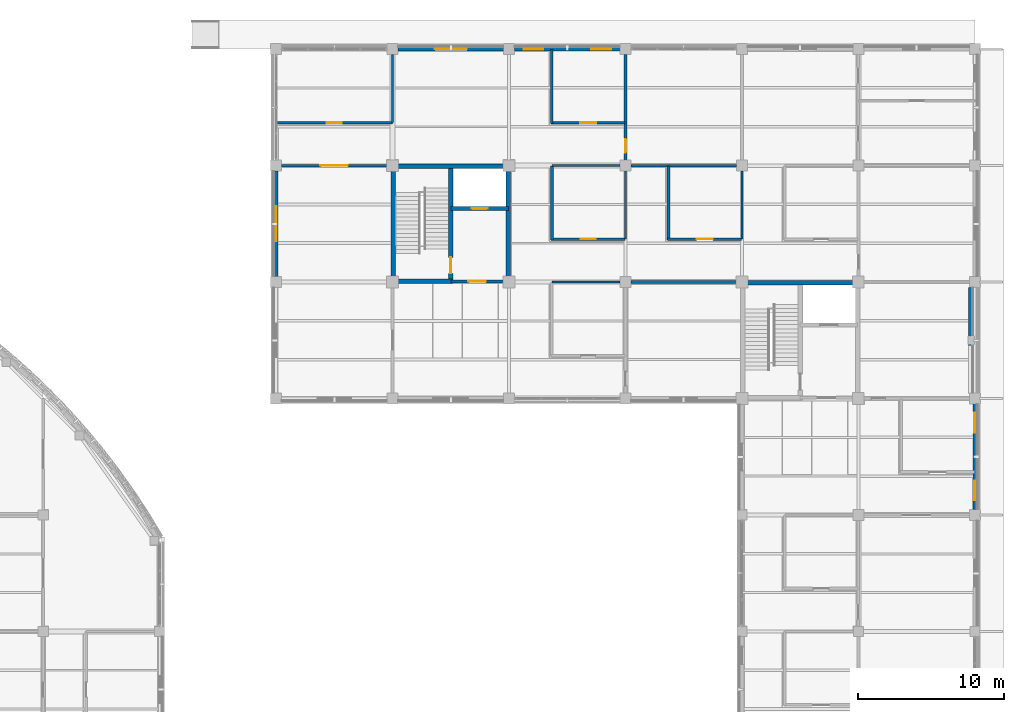
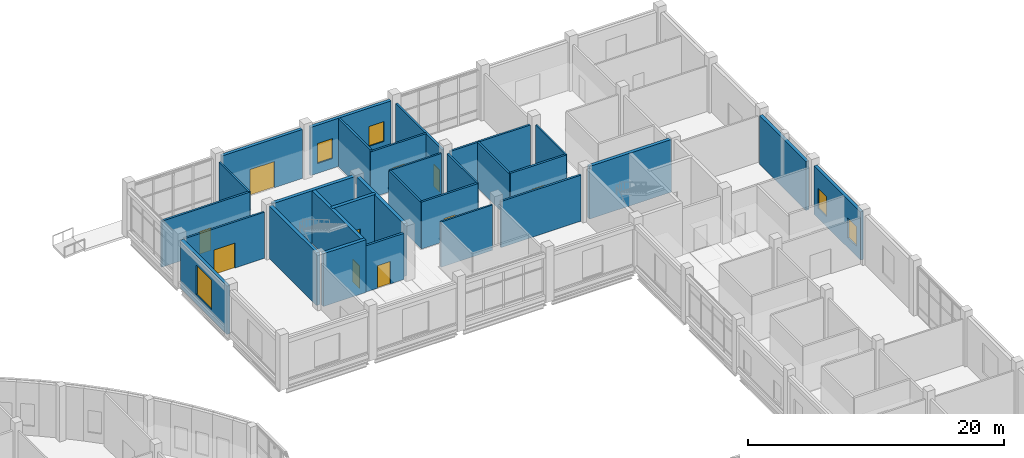
# One storey, part 80 of 105: 29 walls, 10 doors, 5 windows, 15 openings.
"""IFC4 building model written with IfcOpenShell, lengths in metres."""

from ifc_helpers import new_model, si_unit, derived_unit, direction, frame, frame_2d, origin, place, context, subcontext, project, spatial, rectangle, extrude, material, layer, layer_set, type_object, element, fill, save


model = new_model("IFC4")

# Units and contexts
model_context = context("Model", 3, precision=1e-05, world=origin(), true_north=direction((0.0, 1.0)))
body_context = subcontext(model_context, "Body", "Model", "MODEL_VIEW")
ifc_project = project(units=[si_unit("LENGTHUNIT", "METRE"), si_unit("AREAUNIT", "SQUARE_METRE"), si_unit("VOLUMEUNIT", "CUBIC_METRE"), si_unit("PLANEANGLEUNIT", "RADIAN"), si_unit("MASSUNIT", "GRAM", prefix="KILO"), derived_unit("THERMALTRANSMITTANCEUNIT", [(si_unit("MASSUNIT", "GRAM", prefix="KILO"), 1), (si_unit("TIMEUNIT", "SECOND"), -3), (si_unit("THERMODYNAMICTEMPERATUREUNIT", "KELVIN"), -1)])], contexts=[model_context])

# Site, building, storey
site_placement = place(None, origin())
site = spatial("IfcSite", under=ifc_project, at=site_placement, CompositionType="ELEMENT")
building_placement = place(site_placement, origin())
building = spatial("IfcBuilding", under=site, at=building_placement, Name="Veyamyaing Civic Hall", CompositionType="ELEMENT")
storey_placement = place(building_placement, origin())
storey = spatial("IfcBuildingStorey", under=building, at=storey_placement, Name="L00", CompositionType="ELEMENT", Elevation=0.0)

# Wall, opening, window
ifc_material_1 = material(Name="Precast concrete C40/50", Category="concrete")
ifc_layer_1 = layer(ifc_material_1, 0.280029296875, Name="Precast concrete C40/50")
ifc_layer_set_1 = layer_set([ifc_layer_1], Name="Precast concrete C40/50")
wall_type_1 = type_object("IfcWallType", Name="WT-04", PredefinedType="SOLIDWALL", material=ifc_layer_set_1)
wall_1_placement = place(storey_placement, frame((128.0, 96.360107421875, 0.0), z_axis=(0.0, 0.0, 1.0), x_axis=(0.0, 1.0, 0.0)))
wall_1 = element("IfcWall", 1, at=wall_1_placement, inside=storey, type_object=wall_type_1, Name="Exterior facade wall WT-04 L00 W 17.13", PredefinedType="SOLIDWALL", context=body_context, shape_type="SweptSolid", body=[
    extrude(rectangle(XDim=7.27978515625, YDim=0.280029296875, at=frame_2d((3.639892578125, 0.0))), origin(), (0.0, 0.0, 1.0), 4.610107421875),
])
opening_1_placement = place(wall_1_placement, frame((2.43994140625, 0.0, 0.89990234375)))
opening_1 = element("IfcOpeningElement", 2, at=opening_1_placement, cuts=wall_1, Name="Opening W-01", PredefinedType="OPENING", context=body_context, shape_type="SweptSolid", body=[
    extrude(rectangle(XDim=2.39990234375, YDim=2.800048828125, at=frame_2d((1.199951171875, 1.39990234375))), frame((0.0, 0.14990234375, 0.0), z_axis=(0.0, -1.0, 0.0), x_axis=(1.0, 0.0, 0.0)), (0.0, 0.0, 1.0), 0.300048828125),
])
ifc_material_2 = material(Name="Low-E insulated glass", Category="glass")
window_type_1 = type_object("IfcWindowType", Name="W-01", PartitioningType="SINGLE_PANEL", PredefinedType="WINDOW", material=ifc_material_2)
window_1_placement = place(opening_1_placement, origin())
window_1 = element("IfcWindow", 3, at=window_1_placement, inside=storey, type_object=window_type_1, Name="Facade window W-01 L00 W 17.13", OverallHeight=2.800048828125, OverallWidth=2.39990234375, PartitioningType="SINGLE_PANEL", PredefinedType="WINDOW", context=body_context, shape_type="SweptSolid", body=[
    extrude(rectangle(XDim=2.39990234375, YDim=2.800048828125, at=frame_2d((1.199951171875, 1.39990234375))), frame((0.0, 0.030029296875, 0.0), z_axis=(0.0, -1.0, 0.0), x_axis=(1.0, 0.0, 0.0)), (0.0, 0.0, 1.0), 0.06005859375),
])
fill(opening_1, window_1)

# Wall, opening, door
wall_2_placement = place(storey_placement, frame((136.360107421875, 112.0, 0.0), z_axis=(0.0, 0.0, 1.0), x_axis=(1.0, 0.0, 0.0)))
wall_2 = element("IfcWall", 4, at=wall_2_placement, inside=storey, type_object=wall_type_1, Name="Exterior facade wall WT-04 L00 N 18.14", PredefinedType="SOLIDWALL", context=body_context, shape_type="SweptSolid", body=[
    extrude(rectangle(XDim=7.27978515625, YDim=0.280029296875, at=frame_2d((3.639892578125, 0.0))), origin(), (0.0, 0.0, 1.0), 4.677001953125),
])
opening_2_placement = place(wall_2_placement, frame((2.5400390625, 0.0, 0.0)))
opening_2 = element("IfcOpeningElement", 5, at=opening_2_placement, cuts=wall_2, Name="Opening D-01", PredefinedType="OPENING", context=body_context, shape_type="SweptSolid", body=[
    extrude(rectangle(XDim=2.199951171875, YDim=2.5, at=frame_2d((1.10009765625, 1.25))), frame((0.0, 0.14990234375, 0.0), z_axis=(0.0, -1.0, 0.0), x_axis=(1.0, 0.0, 0.0)), (0.0, 0.0, 1.0), 0.300048828125),
])
ifc_material_3 = material(Name="Anodised aluminium 6063-T6", Category="aluminium")
door_type_1 = type_object("IfcDoorType", Name="D-01", OperationType="DOUBLE_DOOR_SINGLE_SWING", PredefinedType="DOOR", material=ifc_material_3)
door_1_placement = place(opening_2_placement, origin())
door_1 = element("IfcDoor", 6, at=door_1_placement, inside=storey, type_object=door_type_1, Name="Main pedestrian final exit EX-12", OperationType="DOUBLE_DOOR_SINGLE_SWING", OverallHeight=2.5, OverallWidth=2.199951171875, PredefinedType="DOOR", context=body_context, shape_type="SweptSolid", body=[
    extrude(rectangle(XDim=2.199951171875, YDim=2.5, at=frame_2d((1.10009765625, 1.25))), frame((0.0, 0.02490234375, 0.0), z_axis=(0.0, -1.0, 0.0), x_axis=(1.0, 0.0, 0.0)), (0.0, 0.0, 1.0), 0.050048828125),
])
fill(opening_2, door_1)

# Wall, openings, windows
wall_3_placement = place(storey_placement, frame((144.360107421875, 112.0, 0.0), z_axis=(0.0, 0.0, 1.0), x_axis=(1.0, 0.0, 0.0)))
wall_3 = element("IfcWall", 7, at=wall_3_placement, inside=storey, type_object=wall_type_1, Name="Exterior facade wall WT-04 L00 N 19.14", PredefinedType="SOLIDWALL", context=body_context, shape_type="SweptSolid", body=[
    extrude(rectangle(XDim=7.27978515625, YDim=0.280029296875, at=frame_2d((3.639892578125, 0.0))), origin(), (0.0, 0.0, 1.0), 4.610107421875),
])
opening_3_placement = place(wall_3_placement, frame((0.635498046875, 0.0, 0.949951171875)))
opening_3 = element("IfcOpeningElement", 8, at=opening_3_placement, cuts=wall_3, Name="Opening W-13", PredefinedType="OPENING", context=body_context, shape_type="SweptSolid", body=[
    extrude(rectangle(XDim=1.35009765625, YDim=1.89990234375, at=frame_2d((0.675048828125, 0.949951171875))), frame((0.0, 0.14990234375, 0.0), z_axis=(0.0, -1.0, 0.0), x_axis=(1.0, 0.0, 0.0)), (0.0, 0.0, 1.0), 0.300048828125),
])
opening_4_placement = place(wall_3_placement, frame((5.294677734375, 0.0, 0.949951171875)))
opening_4 = element("IfcOpeningElement", 9, at=opening_4_placement, cuts=wall_3, Name="Opening W-13", PredefinedType="OPENING", context=body_context, shape_type="SweptSolid", body=[
    extrude(rectangle(XDim=1.35009765625, YDim=1.89990234375, at=frame_2d((0.675048828125, 0.949951171875))), frame((0.0, 0.14990234375, 0.0), z_axis=(0.0, -1.0, 0.0), x_axis=(1.0, 0.0, 0.0)), (0.0, 0.0, 1.0), 0.300048828125),
])
window_type_2 = type_object("IfcWindowType", Name="W-13", PartitioningType="SINGLE_PANEL", PredefinedType="WINDOW", material=ifc_material_2)
window_2_placement = place(opening_3_placement, origin())
window_2 = element("IfcWindow", 10, at=window_2_placement, inside=storey, type_object=window_type_2, Name="Facade window W-13 L00 N 19.14.1", OverallHeight=1.89990234375, OverallWidth=1.35009765625, PartitioningType="SINGLE_PANEL", PredefinedType="WINDOW", context=body_context, shape_type="SweptSolid", body=[
    extrude(rectangle(XDim=1.35009765625, YDim=1.89990234375, at=frame_2d((0.675048828125, 0.949951171875))), frame((0.0, 0.030029296875, 0.0), z_axis=(0.0, -1.0, 0.0), x_axis=(1.0, 0.0, 0.0)), (0.0, 0.0, 1.0), 0.06005859375),
])
fill(opening_3, window_2)
window_3_placement = place(opening_4_placement, origin())
window_3 = element("IfcWindow", 11, at=window_3_placement, inside=storey, type_object=window_type_2, Name="Facade window W-13 L00 N 19.14.2", OverallHeight=1.89990234375, OverallWidth=1.35009765625, PartitioningType="SINGLE_PANEL", PredefinedType="WINDOW", context=body_context, shape_type="SweptSolid", body=[
    extrude(rectangle(XDim=1.35009765625, YDim=1.89990234375, at=frame_2d((0.675048828125, 0.949951171875))), frame((0.0, 0.030029296875, 0.0), z_axis=(0.0, -1.0, 0.0), x_axis=(1.0, 0.0, 0.0)), (0.0, 0.0, 1.0), 0.06005859375),
])
fill(opening_4, window_3)

wall_4_placement = place(storey_placement, frame((176.0, 80.360107421875, 0.0), z_axis=(0.0, 0.0, 1.0), x_axis=(0.0, 1.0, 0.0)))
wall_4 = element("IfcWall", 12, at=wall_4_placement, inside=storey, type_object=wall_type_1, Name="Exterior facade wall WT-04 L00 E 22.11", PredefinedType="SOLIDWALL", context=body_context, shape_type="SweptSolid", body=[
    extrude(rectangle(XDim=7.27978515625, YDim=0.280029296875, at=frame_2d((3.639892578125, 0.0))), origin(), (0.0, 0.0, 1.0), 4.610107421875),
])
opening_5_placement = place(wall_4_placement, frame((0.635498046875, 0.0, 0.949951171875)))
opening_5 = element("IfcOpeningElement", 13, at=opening_5_placement, cuts=wall_4, Name="Opening W-13", PredefinedType="OPENING", context=body_context, shape_type="SweptSolid", body=[
    extrude(rectangle(XDim=1.35009765625, YDim=1.89990234375, at=frame_2d((0.675048828125, 0.949951171875))), frame((0.0, 0.14990234375, 0.0), z_axis=(0.0, -1.0, 0.0), x_axis=(1.0, 0.0, 0.0)), (0.0, 0.0, 1.0), 0.300048828125),
])
opening_6_placement = place(wall_4_placement, frame((5.294677734375, 0.0, 0.949951171875)))
opening_6 = element("IfcOpeningElement", 14, at=opening_6_placement, cuts=wall_4, Name="Opening W-13", PredefinedType="OPENING", context=body_context, shape_type="SweptSolid", body=[
    extrude(rectangle(XDim=1.35009765625, YDim=1.89990234375, at=frame_2d((0.675048828125, 0.949951171875))), frame((0.0, 0.14990234375, 0.0), z_axis=(0.0, -1.0, 0.0), x_axis=(1.0, 0.0, 0.0)), (0.0, 0.0, 1.0), 0.300048828125),
])
window_4_placement = place(opening_5_placement, origin())
window_4 = element("IfcWindow", 15, at=window_4_placement, inside=storey, type_object=window_type_2, Name="Facade window W-13 L00 E 22.11.1", OverallHeight=1.89990234375, OverallWidth=1.35009765625, PartitioningType="SINGLE_PANEL", PredefinedType="WINDOW", context=body_context, shape_type="SweptSolid", body=[
    extrude(rectangle(XDim=1.35009765625, YDim=1.89990234375, at=frame_2d((0.675048828125, 0.949951171875))), frame((0.0, 0.030029296875, 0.0), z_axis=(0.0, -1.0, 0.0), x_axis=(1.0, 0.0, 0.0)), (0.0, 0.0, 1.0), 0.06005859375),
])
fill(opening_5, window_4)
window_5_placement = place(opening_6_placement, origin())
window_5 = element("IfcWindow", 16, at=window_5_placement, inside=storey, type_object=window_type_2, Name="Facade window W-13 L00 E 22.11.2", OverallHeight=1.89990234375, OverallWidth=1.35009765625, PartitioningType="SINGLE_PANEL", PredefinedType="WINDOW", context=body_context, shape_type="SweptSolid", body=[
    extrude(rectangle(XDim=1.35009765625, YDim=1.89990234375, at=frame_2d((0.675048828125, 0.949951171875))), frame((0.0, 0.030029296875, 0.0), z_axis=(0.0, -1.0, 0.0), x_axis=(1.0, 0.0, 0.0)), (0.0, 0.0, 1.0), 0.06005859375),
])
fill(opening_6, window_5)

# Walls
wall_5_placement = place(storey_placement, frame((175.699951171875, 88.360107421875, 0.0), z_axis=(0.0, 0.0, 1.0), x_axis=(0.0, 1.0, 0.0)))
element("IfcWall", 17, at=wall_5_placement, inside=storey, type_object=wall_type_1, Name="Exterior facade wall WT-04 L00 E 22.12", PredefinedType="SOLIDWALL", context=body_context, shape_type="SweptSolid", body=[
    extrude(rectangle(XDim=7.27978515625, YDim=0.280029296875, at=frame_2d((3.639892578125, 0.0))), origin(), (0.0, 0.0, 1.0), 4.674072265625),
])
ifc_material_4 = material(Name="Concrete C40/50", Category="concrete")
ifc_layer_2 = layer(ifc_material_4, 0.300048828125, Name="Concrete C40/50")
ifc_layer_set_2 = layer_set([ifc_layer_2], Name="Concrete C40/50")
wall_type_2 = type_object("IfcWallType", Name="WT-05", PredefinedType="SHEAR", material=ifc_layer_set_2)
for number, where, z_axis, x_axis, name in (
    (18, (160.2900390625, 95.949951171875, 0.0), (0.0, 0.0, 1.0), (1.0, 0.0, 0.0), "Core shear wall WT-05 CORE-3 L00.N"),
    (19, (136.050048828125, 96.2900390625, 0.0), (0.0, 0.0, 1.0), (0.0, 1.0, 0.0), "Core shear wall WT-05 CORE-4 L00.W"),
    (20, (136.2900390625, 103.949951171875, 0.0), (0.0, 0.0, 1.0), (1.0, 0.0, 0.0), "Core shear wall WT-05 CORE-4 L00.N"),
    (21, (143.949951171875, 96.2900390625, 0.0), (0.0, 0.0, 1.0), (0.0, 1.0, 0.0), "Core shear wall WT-05 CORE-4 L00.E"),
):
    element("IfcWall", number, at=place(storey_placement, frame(where, z_axis=z_axis, x_axis=x_axis)), inside=storey, type_object=wall_type_2, Name=name, PredefinedType="SHEAR", context=body_context, shape_type="SweptSolid", body=[
        extrude(rectangle(XDim=7.419921875, YDim=0.300048828125, at=frame_2d((3.7099609375, 0.0))), origin(), (0.0, 0.0, 1.0), 5.034912109375),
    ])
wall_6_placement = place(storey_placement, frame((136.2900390625, 96.050048828125, 0.0), z_axis=(0.0, 0.0, 1.0), x_axis=(1.0, 0.0, 0.0)))
element("IfcWall", 22, at=wall_6_placement, inside=storey, type_object=wall_type_2, Name="Core shear wall WT-05 CORE-4 L00.SS", PredefinedType="SHEAR", context=body_context, shape_type="SweptSolid", body=[
    extrude(rectangle(XDim=3.85986328125, YDim=0.300048828125, at=frame_2d((1.929931640625, 0.0))), origin(), (0.0, 0.0, 1.0), 5.034912109375),
])

# Wall, opening, door
wall_7_placement = place(storey_placement, frame((140.0, 96.050048828125, 0.0), z_axis=(0.0, 0.0, 1.0), x_axis=(0.0, 1.0, 0.0)))
wall_7 = element("IfcWall", 23, at=wall_7_placement, inside=storey, type_object=wall_type_2, Name="Core shear wall WT-05 CORE-4 L00.MID", PredefinedType="SHEAR", context=body_context, shape_type="SweptSolid", body=[
    extrude(rectangle(XDim=7.89990234375, YDim=0.300048828125, at=frame_2d((3.949951171875, 0.0))), origin(), (0.0, 0.0, 1.0), 5.034912109375),
])
opening_7_placement = place(wall_7_placement, frame((0.550048828125, 0.0, 0.0)))
opening_7 = element("IfcOpeningElement", 24, at=opening_7_placement, cuts=wall_7, Name="Opening D-03", PredefinedType="OPENING", context=body_context, shape_type="SweptSolid", body=[
    extrude(rectangle(XDim=1.10009765625, YDim=2.14990234375, at=frame_2d((0.550048828125, 1.074951171875))), frame((0.0, 0.159912109375, 0.0), z_axis=(0.0, -1.0, 0.0), x_axis=(1.0, 0.0, 0.0)), (0.0, 0.0, 1.0), 0.320068359375),
])
ifc_material_5 = material(Name="Galvanized steel S355J2", Category="steel")
door_type_2 = type_object("IfcDoorType", Name="D-03", OperationType="NOTDEFINED", PredefinedType="DOOR", material=ifc_material_5)
door_2_placement = place(opening_7_placement, frame((1.10009765625, 0.0, 0.0), z_axis=(0.0, 0.0, 1.0), x_axis=(-1.0, 0.0, 0.0)))
door_2 = element("IfcDoor", 25, at=door_2_placement, inside=storey, type_object=door_type_2, Name="Exit stair fire door D-03 ST-04 L00", OperationType="SINGLE_SWING_RIGHT", OverallHeight=2.14990234375, OverallWidth=1.10009765625, PredefinedType="DOOR", context=body_context, shape_type="SweptSolid", body=[
    extrude(rectangle(XDim=1.10009765625, YDim=2.14990234375, at=frame_2d((0.550048828125, 1.074951171875))), frame((0.0, 0.02490234375, 0.0), z_axis=(0.0, -1.0, 0.0), x_axis=(1.0, 0.0, 0.0)), (0.0, 0.0, 1.0), 0.050048828125),
])
fill(opening_7, door_2)

wall_8_placement = place(storey_placement, frame((140.0, 101.050048828125, 0.0), z_axis=(0.0, 0.0, 1.0), x_axis=(1.0, 0.0, 0.0)))
wall_8 = element("IfcWall", 26, at=wall_8_placement, inside=storey, type_object=wall_type_2, Name="Core shear wall WT-05 CORE-4 L00.LFT", PredefinedType="SHEAR", context=body_context, shape_type="SweptSolid", body=[
    extrude(rectangle(XDim=3.949951171875, YDim=0.300048828125, at=frame_2d((1.97509765625, 0.0))), origin(), (0.0, 0.0, 1.0), 5.034912109375),
])
opening_8_placement = place(wall_8_placement, frame((1.425048828125, 0.0, 0.0)))
opening_8 = element("IfcOpeningElement", 27, at=opening_8_placement, cuts=wall_8, Name="Opening LD-01", PredefinedType="OPENING", context=body_context, shape_type="SweptSolid", body=[
    extrude(rectangle(XDim=1.10009765625, YDim=2.199951171875, at=frame_2d((0.550048828125, 1.10009765625))), frame((0.0, 0.159912109375, 0.0), z_axis=(0.0, -1.0, 0.0), x_axis=(1.0, 0.0, 0.0)), (0.0, 0.0, 1.0), 0.320068359375),
])
door_type_3 = type_object("IfcDoorType", Name="LD-01", OperationType="SLIDING_TO_LEFT", PredefinedType="DOOR", material=ifc_material_3)
door_3_placement = place(opening_8_placement, origin())
door_3 = element("IfcDoor", 28, at=door_3_placement, inside=storey, type_object=door_type_3, Name="Lift sliding landing door LD-01 PL-02 L00", OperationType="SLIDING_TO_LEFT", OverallHeight=2.199951171875, OverallWidth=1.10009765625, PredefinedType="DOOR", context=body_context, shape_type="SweptSolid", body=[
    extrude(rectangle(XDim=1.10009765625, YDim=2.199951171875, at=frame_2d((0.550048828125, 1.10009765625))), frame((0.0, 0.02490234375, 0.0), z_axis=(0.0, -1.0, 0.0), x_axis=(1.0, 0.0, 0.0)), (0.0, 0.0, 1.0), 0.050048828125),
])
fill(opening_8, door_3)

ifc_layer_3 = layer(ifc_material_4, 0.199951171875, Name="Concrete C40/50")
ifc_layer_set_3 = layer_set([ifc_layer_3], Name="Concrete C40/50")
wall_type_3 = type_object("IfcWallType", Name="WT-06", PredefinedType="PARTITIONING", material=ifc_layer_set_3)
wall_9_placement = place(storey_placement, frame((140.0, 96.050048828125, 0.0), z_axis=(0.0, 0.0, 1.0), x_axis=(1.0, 0.0, 0.0)))
wall_9 = element("IfcWall", 29, at=wall_9_placement, inside=storey, type_object=wall_type_3, Name="Firefighting lift lobby wall WT-06 CORE-4 L00", PredefinedType="PARTITIONING", context=body_context, shape_type="SweptSolid", body=[
    extrude(rectangle(XDim=3.610107421875, YDim=0.199951171875, at=frame_2d((1.80517578125, 0.0))), origin(), (0.0, 0.0, 1.0), 4.403076171875),
])
opening_9_placement = place(wall_9_placement, frame((1.205078125, 0.0, 0.0)))
opening_9 = element("IfcOpeningElement", 30, at=opening_9_placement, cuts=wall_9, Name="Opening D-04", PredefinedType="OPENING", context=body_context, shape_type="SweptSolid", body=[
    extrude(rectangle(XDim=1.199951171875, YDim=2.14990234375, at=frame_2d((0.60009765625, 1.074951171875))), frame((0.0, 0.10986328125, 0.0), z_axis=(0.0, -1.0, 0.0), x_axis=(1.0, 0.0, 0.0)), (0.0, 0.0, 1.0), 0.219970703125),
])
door_type_4 = type_object("IfcDoorType", Name="D-04", OperationType="NOTDEFINED", PredefinedType="DOOR", material=ifc_material_5)
door_4_placement = place(opening_9_placement, frame((1.199951171875, 0.0, 0.0), z_axis=(0.0, 0.0, 1.0), x_axis=(-1.0, 0.0, 0.0)))
door_4 = element("IfcDoor", 31, at=door_4_placement, inside=storey, type_object=door_type_4, Name="Protected lobby fire door D-04 CORE-4 L00", OperationType="SINGLE_SWING_LEFT", OverallHeight=2.14990234375, OverallWidth=1.199951171875, PredefinedType="DOOR", context=body_context, shape_type="SweptSolid", body=[
    extrude(rectangle(XDim=1.199951171875, YDim=2.14990234375, at=frame_2d((0.60009765625, 1.074951171875))), frame((0.0, 0.02490234375, 0.0), z_axis=(0.0, -1.0, 0.0), x_axis=(1.0, 0.0, 0.0)), (0.0, 0.0, 1.0), 0.050048828125),
])
fill(opening_9, door_4)

ifc_material_6 = material(Name="Gypsum board on acoustic steel stud", Category="steel")
ifc_layer_4 = layer(ifc_material_6, 0.175048828125, Name="Gypsum board on acoustic steel stud")
ifc_layer_set_4 = layer_set([ifc_layer_4], Name="Gypsum board on acoustic steel stud")
wall_type_4 = type_object("IfcWallType", Name="WT-07", PredefinedType="PARTITIONING", material=ifc_layer_set_4)
wall_10_placement = place(storey_placement, frame((146.89990234375, 106.949951171875, 0.0), z_axis=(0.0, 0.0, 1.0), x_axis=(1.0, 0.0, 0.0)))
wall_10 = element("IfcWall", 32, at=wall_10_placement, inside=storey, type_object=wall_type_4, Name="Corridor gallery partition WT-07 L00.63.1", PredefinedType="PARTITIONING", context=body_context, shape_type="SweptSolid", body=[
    extrude(rectangle(XDim=5.080078125, YDim=0.175048828125, at=frame_2d((2.5400390625, 0.0))), origin(), (0.0, 0.0, 1.0), 4.403076171875),
])
opening_10_placement = place(wall_10_placement, frame((2.0, 0.0, 0.0)))
opening_10 = element("IfcOpeningElement", 33, at=opening_10_placement, cuts=wall_10, Name="Opening D-23", PredefinedType="OPENING", context=body_context, shape_type="SweptSolid", body=[
    extrude(rectangle(XDim=1.080078125, YDim=2.199951171875, at=frame_2d((0.5400390625, 1.10009765625))), frame((0.0, 0.097412109375, 0.0), z_axis=(0.0, -1.0, 0.0), x_axis=(1.0, 0.0, 0.0)), (0.0, 0.0, 1.0), 0.195068359375),
])
ifc_material_7 = material(Name="Teak-veneered acoustic timber", Category="wood")
door_type_5 = type_object("IfcDoorType", Name="D-23", OperationType="NOTDEFINED", PredefinedType="DOOR", material=ifc_material_7)
door_5_placement = place(opening_10_placement, origin())
door_5 = element("IfcDoor", 34, at=door_5_placement, inside=storey, type_object=door_type_5, Name="Gallery office door D-23 L00.63", OperationType="SINGLE_SWING_RIGHT", OverallHeight=2.199951171875, OverallWidth=1.080078125, PredefinedType="DOOR", context=body_context, shape_type="SweptSolid", body=[
    extrude(rectangle(XDim=1.080078125, YDim=2.199951171875, at=frame_2d((0.5400390625, 1.10009765625))), frame((0.0, 0.02490234375, 0.0), z_axis=(0.0, -1.0, 0.0), x_axis=(1.0, 0.0, 0.0)), (0.0, 0.0, 1.0), 0.050048828125),
])
fill(opening_10, door_5)

# Wall
wall_11_placement = place(storey_placement, frame((146.949951171875, 106.89990234375, 0.0), z_axis=(0.0, 0.0, 1.0), x_axis=(0.0, 1.0, 0.0)))
element("IfcWall", 35, at=wall_11_placement, inside=storey, type_object=wall_type_4, Name="Corridor gallery partition WT-07 L00.63.2", PredefinedType="PARTITIONING", context=body_context, shape_type="SweptSolid", body=[
    extrude(rectangle(XDim=5.080078125, YDim=0.175048828125, at=frame_2d((2.5400390625, 0.0))), origin(), (0.0, 0.0, 1.0), 4.60302734375),
])

# Wall, opening, door
wall_12_placement = place(storey_placement, frame((128.364990234375, 104.0, 0.0), z_axis=(0.0, 0.0, 1.0), x_axis=(1.0, 0.0, 0.0)))
wall_12 = element("IfcWall", 36, at=wall_12_placement, inside=storey, type_object=wall_type_4, Name="Interior partition wall WT-07 L00.123", PredefinedType="PARTITIONING", context=body_context, shape_type="SweptSolid", body=[
    extrude(rectangle(XDim=7.2451171875, YDim=0.175048828125, at=frame_2d((3.62255859375, 0.0))), origin(), (0.0, 0.0, 1.0), 4.403076171875),
])
opening_11_placement = place(wall_12_placement, frame((2.672607421875, 0.0, 0.0)))
opening_11 = element("IfcOpeningElement", 37, at=opening_11_placement, cuts=wall_12, Name="Opening D-31", PredefinedType="OPENING", context=body_context, shape_type="SweptSolid", body=[
    extrude(rectangle(XDim=1.89990234375, YDim=2.3798828125, at=frame_2d((0.949951171875, 1.18994140625))), frame((0.0, 0.097412109375, 0.0), z_axis=(0.0, -1.0, 0.0), x_axis=(1.0, 0.0, 0.0)), (0.0, 0.0, 1.0), 0.195068359375),
])
door_type_6 = type_object("IfcDoorType", Name="D-31", OperationType="DOUBLE_DOOR_SINGLE_SWING", PredefinedType="DOOR", material=ifc_material_7)
door_6_placement = place(opening_11_placement, frame((1.89990234375, 0.0, 0.0), z_axis=(0.0, 0.0, 1.0), x_axis=(-1.0, 0.0, 0.0)))
door_6 = element("IfcDoor", 38, at=door_6_placement, inside=storey, type_object=door_type_6, Name="Interior door D-31 L00.123", OperationType="DOUBLE_DOOR_SINGLE_SWING", OverallHeight=2.3798828125, OverallWidth=1.89990234375, PredefinedType="DOOR", context=body_context, shape_type="SweptSolid", body=[
    extrude(rectangle(XDim=1.89990234375, YDim=2.3798828125, at=frame_2d((0.949951171875, 1.18994140625))), frame((0.0, 0.02490234375, 0.0), z_axis=(0.0, -1.0, 0.0), x_axis=(1.0, 0.0, 0.0)), (0.0, 0.0, 1.0), 0.050048828125),
])
fill(opening_11, door_6)

# Walls
wall_13_placement = place(storey_placement, frame((152.364990234375, 104.0, 0.0), z_axis=(0.0, 0.0, 1.0), x_axis=(1.0, 0.0, 0.0)))
element("IfcWall", 39, at=wall_13_placement, inside=storey, type_object=wall_type_4, Name="Interior partition wall WT-07 L00.141", PredefinedType="PARTITIONING", context=body_context, shape_type="SweptSolid", body=[
    extrude(rectangle(XDim=7.27001953125, YDim=0.175048828125, at=frame_2d((3.635009765625, 0.0))), origin(), (0.0, 0.0, 1.0), 4.326904296875),
])
ifc_material_8 = material(Name="Gypsum board on steel stud", Category="steel")
ifc_layer_5 = layer(ifc_material_8, 0.14990234375, Name="Gypsum board on steel stud")
ifc_layer_set_5 = layer_set([ifc_layer_5], Name="Gypsum board on steel stud")
wall_type_5 = type_object("IfcWallType", Name="WT-08", PredefinedType="PARTITIONING", material=ifc_layer_set_5)
wall_14_placement = place(storey_placement, frame((136.0, 106.949951171875, 0.0), z_axis=(0.0, 0.0, 1.0), x_axis=(0.0, 1.0, 0.0)))
element("IfcWall", 40, at=wall_14_placement, inside=storey, type_object=wall_type_5, Name="Gallery office end partition WT-08 L00.54.2", PredefinedType="PARTITIONING", context=body_context, shape_type="SweptSolid", body=[
    extrude(rectangle(XDim=4.6650390625, YDim=0.14990234375, at=frame_2d((2.33251953125, 0.0))), origin(), (0.0, 0.0, 1.0), 4.404052734375),
])
wall_15_placement = place(storey_placement, frame((146.949951171875, 96.0, 0.0), z_axis=(0.0, 0.0, 1.0), x_axis=(1.0, 0.0, 0.0)))
element("IfcWall", 41, at=wall_15_placement, inside=storey, type_object=wall_type_5, Name="Gallery office end partition WT-08 L00.61.1", PredefinedType="PARTITIONING", context=body_context, shape_type="SweptSolid", body=[
    extrude(rectangle(XDim=4.6650390625, YDim=0.14990234375, at=frame_2d((2.33251953125, 0.0))), origin(), (0.0, 0.0, 1.0), 4.3359375),
])
wall_16_placement = place(storey_placement, frame((146.949951171875, 104.0, 0.0), z_axis=(0.0, 0.0, 1.0), x_axis=(1.0, 0.0, 0.0)))
element("IfcWall", 42, at=wall_16_placement, inside=storey, type_object=wall_type_5, Name="Gallery office end partition WT-08 L00.62.1", PredefinedType="PARTITIONING", context=body_context, shape_type="SweptSolid", body=[
    extrude(rectangle(XDim=4.6650390625, YDim=0.14990234375, at=frame_2d((2.33251953125, 0.0))), origin(), (0.0, 0.0, 1.0), 4.404052734375),
])
wall_17_placement = place(storey_placement, frame((152.0, 98.949951171875, 0.0), z_axis=(0.0, 0.0, 1.0), x_axis=(0.0, 1.0, 0.0)))
element("IfcWall", 43, at=wall_17_placement, inside=storey, type_object=wall_type_5, Name="Gallery office end partition WT-08 L00.62.2", PredefinedType="PARTITIONING", context=body_context, shape_type="SweptSolid", body=[
    extrude(rectangle(XDim=4.6650390625, YDim=0.14990234375, at=frame_2d((2.33251953125, 0.0))), origin(), (0.0, 0.0, 1.0), 4.470947265625),
])
wall_18_placement = place(storey_placement, frame((160.0, 98.949951171875, 0.0), z_axis=(0.0, 0.0, 1.0), x_axis=(0.0, 1.0, 0.0)))
element("IfcWall", 44, at=wall_18_placement, inside=storey, type_object=wall_type_5, Name="Gallery office end partition WT-08 L00.66.2", PredefinedType="PARTITIONING", context=body_context, shape_type="SweptSolid", body=[
    extrude(rectangle(XDim=4.6650390625, YDim=0.14990234375, at=frame_2d((2.33251953125, 0.0))), origin(), (0.0, 0.0, 1.0), 4.403076171875),
])

# Wall, opening, door
ifc_material_9 = material(Name="Gypsum board on double acoustic stud")
ifc_layer_6 = layer(ifc_material_9, 0.18505859375, Name="Gypsum board on double acoustic stud")
ifc_layer_set_6 = layer_set([ifc_layer_6], Name="Gypsum board on double acoustic stud")
wall_type_6 = type_object("IfcWallType", Name="WT-19", PredefinedType="PARTITIONING", material=ifc_layer_set_6)
wall_19_placement = place(storey_placement, frame((128.02001953125, 106.949951171875, 0.0), z_axis=(0.0, 0.0, 1.0), x_axis=(1.0, 0.0, 0.0)))
wall_19 = element("IfcWall", 45, at=wall_19_placement, inside=storey, type_object=wall_type_6, Name="Corridor gallery partition WT-19 L00.54.1", PredefinedType="PARTITIONING", context=body_context, shape_type="SweptSolid", body=[
    extrude(rectangle(XDim=7.9599609375, YDim=0.18505859375, at=frame_2d((3.97998046875, 0.0))), origin(), (0.0, 0.0, 1.0), 4.404052734375),
])
opening_12_placement = place(wall_19_placement, frame((3.4599609375, 0.0, 0.0)))
opening_12 = element("IfcOpeningElement", 46, at=opening_12_placement, cuts=wall_19, Name="Opening D-24", PredefinedType="OPENING", context=body_context, shape_type="SweptSolid", body=[
    extrude(rectangle(XDim=1.0400390625, YDim=2.179931640625, at=frame_2d((0.52001953125, 1.08984375))), frame((0.0, 0.1025390625, 0.0), z_axis=(0.0, -1.0, 0.0), x_axis=(1.0, 0.0, 0.0)), (0.0, 0.0, 1.0), 0.205078125),
])
door_type_7 = type_object("IfcDoorType", Name="D-24", OperationType="NOTDEFINED", PredefinedType="DOOR", material=ifc_material_7)
door_7_placement = place(opening_12_placement, origin())
door_7 = element("IfcDoor", 47, at=door_7_placement, inside=storey, type_object=door_type_7, Name="Gallery office door D-24 L00.54", OperationType="SINGLE_SWING_LEFT", OverallHeight=2.179931640625, OverallWidth=1.0400390625, PredefinedType="DOOR", context=body_context, shape_type="SweptSolid", body=[
    extrude(rectangle(XDim=1.0400390625, YDim=2.179931640625, at=frame_2d((0.52001953125, 1.08984375))), frame((0.0, 0.02490234375, 0.0), z_axis=(0.0, -1.0, 0.0), x_axis=(1.0, 0.0, 0.0)), (0.0, 0.0, 1.0), 0.050048828125),
])
fill(opening_12, door_7)

wall_20_placement = place(storey_placement, frame((146.89990234375, 98.949951171875, 0.0), z_axis=(0.0, 0.0, 1.0), x_axis=(1.0, 0.0, 0.0)))
wall_20 = element("IfcWall", 48, at=wall_20_placement, inside=storey, type_object=wall_type_6, Name="Corridor gallery partition WT-19 L00.62.1", PredefinedType="PARTITIONING", context=body_context, shape_type="SweptSolid", body=[
    extrude(rectangle(XDim=5.080078125, YDim=0.18505859375, at=frame_2d((2.5400390625, 0.0))), origin(), (0.0, 0.0, 1.0), 4.470947265625),
])
opening_13_placement = place(wall_20_placement, frame((2.030029296875, 0.0, 0.0)))
opening_13 = element("IfcOpeningElement", 49, at=opening_13_placement, cuts=wall_20, Name="Opening D-19", PredefinedType="OPENING", context=body_context, shape_type="SweptSolid", body=[
    extrude(rectangle(XDim=1.02001953125, YDim=2.199951171875, at=frame_2d((0.510009765625, 1.10009765625))), frame((0.0, 0.1025390625, 0.0), z_axis=(0.0, -1.0, 0.0), x_axis=(1.0, 0.0, 0.0)), (0.0, 0.0, 1.0), 0.205078125),
])
door_type_8 = type_object("IfcDoorType", Name="D-19", OperationType="NOTDEFINED", PredefinedType="DOOR", material=ifc_material_7)
door_8_placement = place(opening_13_placement, origin())
door_8 = element("IfcDoor", 50, at=door_8_placement, inside=storey, type_object=door_type_8, Name="Gallery office door D-19 L00.62", OperationType="SINGLE_SWING_LEFT", OverallHeight=2.199951171875, OverallWidth=1.02001953125, PredefinedType="DOOR", context=body_context, shape_type="SweptSolid", body=[
    extrude(rectangle(XDim=1.02001953125, YDim=2.199951171875, at=frame_2d((0.510009765625, 1.10009765625))), frame((0.0, 0.02490234375, 0.0), z_axis=(0.0, -1.0, 0.0), x_axis=(1.0, 0.0, 0.0)), (0.0, 0.0, 1.0), 0.050048828125),
])
fill(opening_13, door_8)

# Wall
wall_21_placement = place(storey_placement, frame((146.949951171875, 98.89990234375, 0.0), z_axis=(0.0, 0.0, 1.0), x_axis=(0.0, 1.0, 0.0)))
element("IfcWall", 51, at=wall_21_placement, inside=storey, type_object=wall_type_6, Name="Corridor gallery partition WT-19 L00.62.2", PredefinedType="PARTITIONING", context=body_context, shape_type="SweptSolid", body=[
    extrude(rectangle(XDim=5.080078125, YDim=0.18505859375, at=frame_2d((2.5400390625, 0.0))), origin(), (0.0, 0.0, 1.0), 4.404052734375),
])

# Wall, opening, door
wall_22_placement = place(storey_placement, frame((154.89990234375, 98.949951171875, 0.0), z_axis=(0.0, 0.0, 1.0), x_axis=(1.0, 0.0, 0.0)))
wall_22 = element("IfcWall", 52, at=wall_22_placement, inside=storey, type_object=wall_type_6, Name="Corridor gallery partition WT-19 L00.66.1", PredefinedType="PARTITIONING", context=body_context, shape_type="SweptSolid", body=[
    extrude(rectangle(XDim=5.080078125, YDim=0.18505859375, at=frame_2d((2.5400390625, 0.0))), origin(), (0.0, 0.0, 1.0), 4.403076171875),
])
opening_14_placement = place(wall_22_placement, frame((1.97998046875, 0.0, 0.0)))
opening_14 = element("IfcOpeningElement", 53, at=opening_14_placement, cuts=wall_22, Name="Opening D-26", PredefinedType="OPENING", context=body_context, shape_type="SweptSolid", body=[
    extrude(rectangle(XDim=1.1201171875, YDim=2.219970703125, at=frame_2d((0.56005859375, 1.10986328125))), frame((0.0, 0.1025390625, 0.0), z_axis=(0.0, -1.0, 0.0), x_axis=(1.0, 0.0, 0.0)), (0.0, 0.0, 1.0), 0.205078125),
])
door_type_9 = type_object("IfcDoorType", Name="D-26", OperationType="NOTDEFINED", PredefinedType="DOOR", material=ifc_material_7)
door_9_placement = place(opening_14_placement, origin())
door_9 = element("IfcDoor", 54, at=door_9_placement, inside=storey, type_object=door_type_9, Name="Gallery office door D-26 L00.66", OperationType="SINGLE_SWING_LEFT", OverallHeight=2.219970703125, OverallWidth=1.1201171875, PredefinedType="DOOR", context=body_context, shape_type="SweptSolid", body=[
    extrude(rectangle(XDim=1.1201171875, YDim=2.219970703125, at=frame_2d((0.56005859375, 1.10986328125))), frame((0.0, 0.02490234375, 0.0), z_axis=(0.0, -1.0, 0.0), x_axis=(1.0, 0.0, 0.0)), (0.0, 0.0, 1.0), 0.050048828125),
])
fill(opening_14, door_9)

# Wall
wall_23_placement = place(storey_placement, frame((154.949951171875, 98.89990234375, 0.0), z_axis=(0.0, 0.0, 1.0), x_axis=(0.0, 1.0, 0.0)))
element("IfcWall", 55, at=wall_23_placement, inside=storey, type_object=wall_type_6, Name="Corridor gallery partition WT-19 L00.66.2", PredefinedType="PARTITIONING", context=body_context, shape_type="SweptSolid", body=[
    extrude(rectangle(XDim=5.080078125, YDim=0.18505859375, at=frame_2d((2.5400390625, 0.0))), origin(), (0.0, 0.0, 1.0), 4.326904296875),
])

# Wall, opening, door
wall_24_placement = place(storey_placement, frame((152.0, 104.364990234375, 0.0), z_axis=(0.0, 0.0, 1.0), x_axis=(0.0, 1.0, 0.0)))
wall_24 = element("IfcWall", 56, at=wall_24_placement, inside=storey, type_object=wall_type_6, Name="Interior partition wall WT-19 L00.134", PredefinedType="PARTITIONING", context=body_context, shape_type="SweptSolid", body=[
    extrude(rectangle(XDim=7.27001953125, YDim=0.18505859375, at=frame_2d((3.635009765625, 0.0))), origin(), (0.0, 0.0, 1.0), 4.403076171875),
])
opening_15_placement = place(wall_24_placement, frame((0.52001953125, 0.0, 0.0)))
opening_15 = element("IfcOpeningElement", 57, at=opening_15_placement, cuts=wall_24, Name="Opening D-30", PredefinedType="OPENING", context=body_context, shape_type="SweptSolid", body=[
    extrude(rectangle(XDim=0.93994140625, YDim=2.1201171875, at=frame_2d((0.469970703125, 1.06005859375))), frame((0.0, 0.1025390625, 0.0), z_axis=(0.0, -1.0, 0.0), x_axis=(1.0, 0.0, 0.0)), (0.0, 0.0, 1.0), 0.205078125),
])
door_type_10 = type_object("IfcDoorType", Name="D-30", OperationType="NOTDEFINED", PredefinedType="DOOR", material=ifc_material_7)
door_10_placement = place(opening_15_placement, frame((0.93994140625, 0.0, 0.0), z_axis=(0.0, 0.0, 1.0), x_axis=(-1.0, 0.0, 0.0)))
door_10 = element("IfcDoor", 58, at=door_10_placement, inside=storey, type_object=door_type_10, Name="Interior door D-30 L00.134", OperationType="SINGLE_SWING_RIGHT", OverallHeight=2.1201171875, OverallWidth=0.93994140625, PredefinedType="DOOR", context=body_context, shape_type="SweptSolid", body=[
    extrude(rectangle(XDim=0.93994140625, YDim=2.1201171875, at=frame_2d((0.469970703125, 1.06005859375))), frame((0.0, 0.02490234375, 0.0), z_axis=(0.0, -1.0, 0.0), x_axis=(1.0, 0.0, 0.0)), (0.0, 0.0, 1.0), 0.050048828125),
])
fill(opening_15, door_10)

# Wall
wall_25_placement = place(storey_placement, frame((152.364990234375, 96.0, 0.0), z_axis=(0.0, 0.0, 1.0), x_axis=(1.0, 0.0, 0.0)))
element("IfcWall", 59, at=wall_25_placement, inside=storey, type_object=wall_type_6, Name="Interior partition wall WT-19 L00.140", PredefinedType="PARTITIONING", context=body_context, shape_type="SweptSolid", body=[
    extrude(rectangle(XDim=7.2451171875, YDim=0.18505859375, at=frame_2d((3.62255859375, 0.0))), origin(), (0.0, 0.0, 1.0), 4.404052734375),
])

save(model, "model.ifc")
